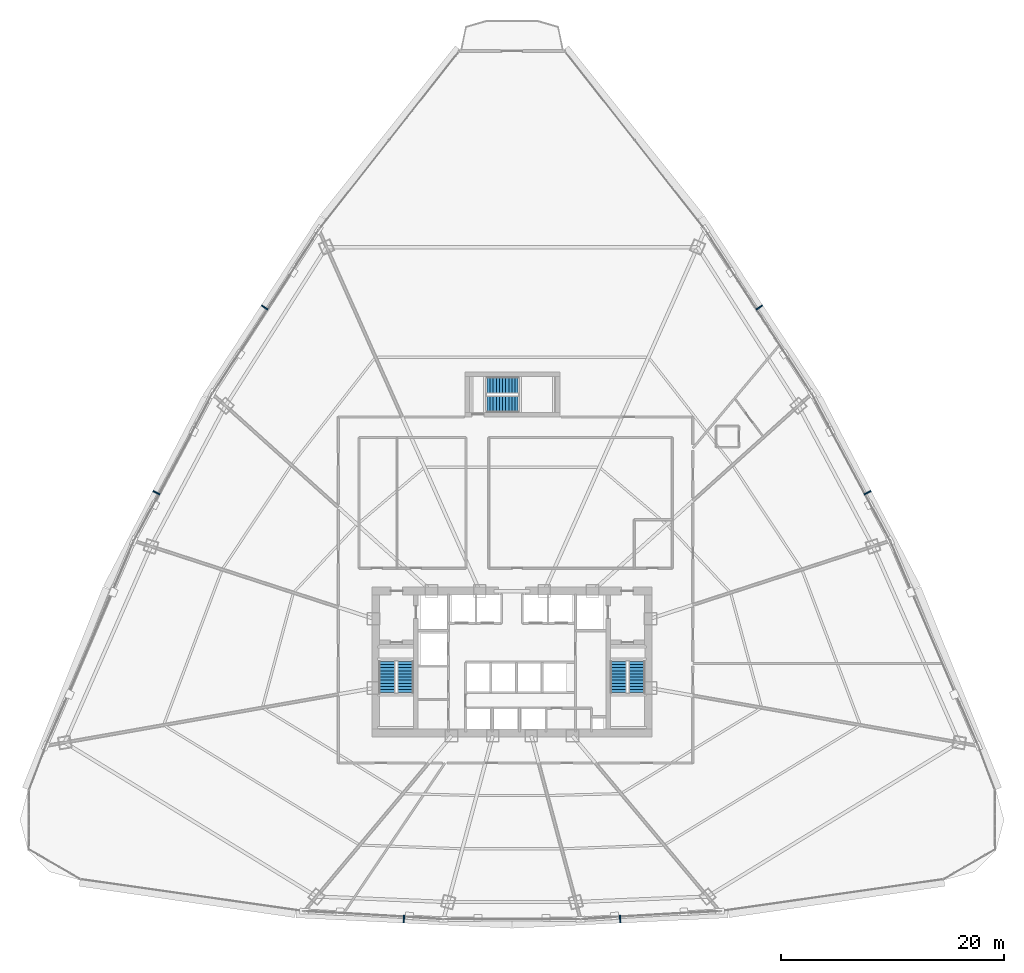
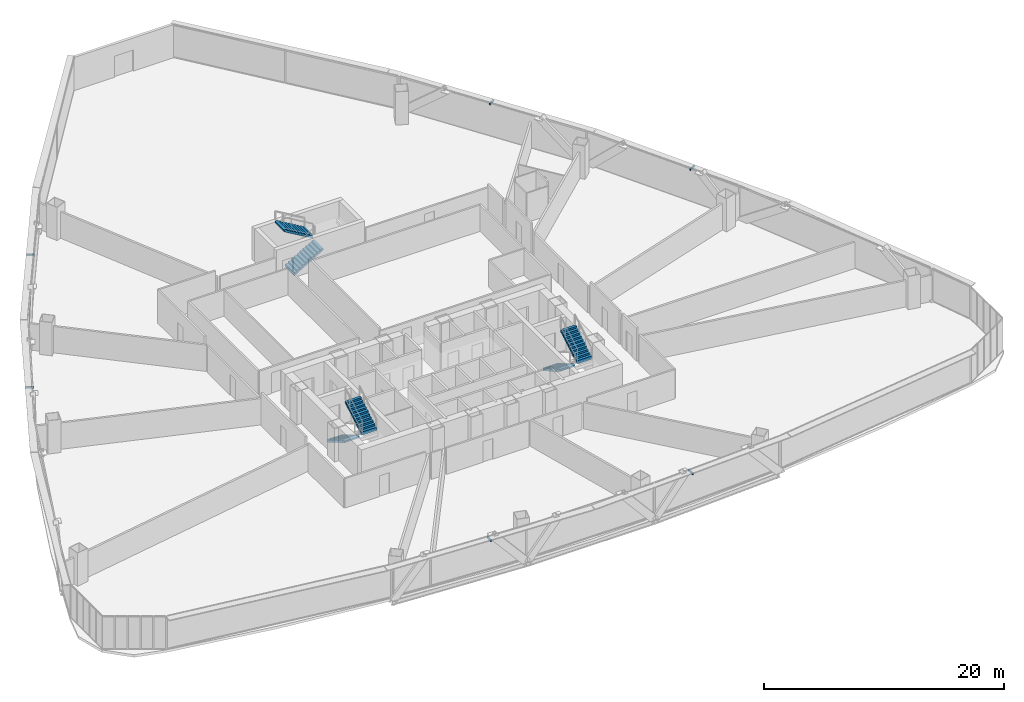
# One storey, part 38 of 42: 6 discrete accessories, 6 stair flights, 3 elements without a shape of their own.
"""IFC4 building model written with IfcOpenShell, lengths in metres."""

from ifc_helpers import new_model, si_unit, direction, frame, origin, origin_2d, place, context, subcontext, project, spatial, polyline, rectangle, outline, extrude, source, transform, mapped, material, type_object, element, aggregate, save


model = new_model("IFC4")

# Units and contexts
model_context = context("Model", 3, precision=1e-05, world=origin(), true_north=direction((0.0, 1.0)))
body_context = subcontext(model_context, "Body", "Model", "MODEL_VIEW")
ifc_project = project(units=[si_unit("LENGTHUNIT", "METRE"), si_unit("AREAUNIT", "SQUARE_METRE"), si_unit("VOLUMEUNIT", "CUBIC_METRE"), si_unit("PLANEANGLEUNIT", "RADIAN"), si_unit("MASSUNIT", "GRAM", prefix="KILO"), si_unit("THERMODYNAMICTEMPERATUREUNIT", "KELVIN"), si_unit("POWERUNIT", "WATT")], contexts=[model_context])

# Site, building, storey
site_placement = place(None, origin())
site = spatial("IfcSite", under=ifc_project, at=site_placement, CompositionType="ELEMENT")
building_placement = place(site_placement, origin())
building = spatial("IfcBuilding", under=site, at=building_placement, Name="Yunzhuo Pagoda Commons", CompositionType="ELEMENT")
storey_placement = place(building_placement, frame((0.0, 0.0, 48.550048828125)))
storey = spatial("IfcBuildingStorey", under=building, at=storey_placement, Name="L12", CompositionType="ELEMENT", Elevation=48.550048828125)

# Stair, stair flights
ifc_material_1 = material(Name="Concrete C40", Category="concrete")
stair_type_1 = type_object("IfcStairType", Name="ST-C1 Core Smokeproof Stair ST1", PredefinedType="HALF_TURN_STAIR", material=ifc_material_1)
stair_1_placement = place(storey_placement, origin())
stair_1 = element("IfcStair", 1, at=stair_1_placement, inside=storey, type_object=stair_type_1, Name="L12 Core smokeproof stair ST1", PredefinedType="HALF_TURN_STAIR")
stair_flight_type_1 = type_object("IfcStairFlightType", Name="STF-C1 Core Stair Flight 1450", PredefinedType="STRAIGHT", material=ifc_material_1)
shared_shape_1 = source(origin(), body_context, "Body", "SweptSolid", [
    extrude(outline(polyline([(0.0, -0.14990234375), (0.0, 0.0), (0.0, 0.1650390625), (0.280029296875, 0.1650390625), (0.280029296875, 0.330078125), (0.56005859375, 0.330078125), (0.56005859375, 0.4951171875), (0.840087890625, 0.4951171875), (0.840087890625, 0.659912109375), (1.1201171875, 0.659912109375), (1.1201171875, 0.824951171875), (1.39990234375, 0.824951171875), (1.39990234375, 0.989990234375), (1.679931640625, 0.989990234375), (1.679931640625, 1.155029296875), (1.9599609375, 1.155029296875), (1.9599609375, 1.320068359375), (2.239990234375, 1.320068359375), (2.239990234375, 1.485107421875), (2.52001953125, 1.485107421875), (2.52001953125, 1.64990234375), (2.800048828125, 1.64990234375), (2.800048828125, 1.81494140625), (2.800048828125, 1.47607421875), (0.295166015625, 0.0), (0.050048828125, -0.14990234375), (0.0, -0.14990234375)])), frame((0.0, 0.72509765625, 0.0), z_axis=(0.0, -1.0, 0.0), x_axis=(1.0, 0.0, 0.0)), (0.0, 0.0, 1.0), 1.449951171875),
])
stair_flight_1_placement = place(storey_placement, frame((36.824951171875, 33.89990234375, 0.0), z_axis=(0.0, 0.0, 1.0), x_axis=(0.0, -1.0, 0.0)))
stair_flight_1 = element("IfcStairFlight", 2, at=stair_flight_1_placement, type_object=stair_flight_type_1, Name="ST1 flight 1", NumberOfRisers=11, NumberOfTreads=10, PredefinedType="STRAIGHT", RiserHeight=0.165, TreadLength=0.28, context=body_context, shape_type="MappedRepresentation", body=[
    mapped(shared_shape_1, transform((0.0, 0.0, 0.0), scale=1.0)),
])
stair_flight_2_placement = place(storey_placement, frame((38.47509765625, 31.10009765625, 1.81494140625), z_axis=(0.0, 0.0, 1.0), x_axis=(0.0, 1.0, 0.0)))
stair_flight_2 = element("IfcStairFlight", 3, at=stair_flight_2_placement, type_object=stair_flight_type_1, Name="ST1 flight 2", NumberOfRisers=11, NumberOfTreads=10, PredefinedType="STRAIGHT", RiserHeight=0.165, TreadLength=0.28, context=body_context, shape_type="MappedRepresentation", body=[
    mapped(shared_shape_1, transform((0.0, 0.0, 0.0), scale=1.0)),
])
aggregate(stair_1, [stair_flight_1, stair_flight_2])

stair_type_2 = type_object("IfcStairType", Name="ST-C2 Core Smokeproof Stair ST2", PredefinedType="HALF_TURN_STAIR", material=ifc_material_1)
stair_2_placement = place(storey_placement, origin())
stair_2 = element("IfcStair", 4, at=stair_2_placement, inside=storey, type_object=stair_type_2, Name="L12 Core smokeproof stair ST2", PredefinedType="HALF_TURN_STAIR")
stair_flight_type_2 = type_object("IfcStairFlightType", Name="STF-C2 Core Stair Flight 1460", PredefinedType="STRAIGHT", material=ifc_material_1)
stair_flight_3_placement = place(storey_placement, frame((57.52490234375, 33.89990234375, 0.0), z_axis=(0.0, 0.0, 1.0), x_axis=(0.0, -1.0, 0.0)))
stair_flight_3 = element("IfcStairFlight", 5, at=stair_flight_3_placement, type_object=stair_flight_type_2, Name="ST2 flight 1", NumberOfRisers=11, NumberOfTreads=10, PredefinedType="STRAIGHT", RiserHeight=0.165, TreadLength=0.28, context=body_context, shape_type="MappedRepresentation", body=[
    mapped(shared_shape_1, transform((0.0, 0.0, 0.0), scale=1.0)),
])
stair_flight_4_placement = place(storey_placement, frame((59.175048828125, 31.10009765625, 1.81494140625), z_axis=(0.0, 0.0, 1.0), x_axis=(0.0, 1.0, 0.0)))
stair_flight_4 = element("IfcStairFlight", 6, at=stair_flight_4_placement, type_object=stair_flight_type_2, Name="ST2 flight 2", NumberOfRisers=11, NumberOfTreads=10, PredefinedType="STRAIGHT", RiserHeight=0.165, TreadLength=0.28, context=body_context, shape_type="MappedRepresentation", body=[
    mapped(shared_shape_1, transform((0.0, 0.0, 0.0), scale=1.0)),
])
aggregate(stair_2, [stair_flight_3, stair_flight_4])

stair_type_3 = type_object("IfcStairType", Name="ST-C3 North Tower Smokeproof Stair ST3", PredefinedType="HALF_TURN_STAIR", material=ifc_material_1)
stair_3_placement = place(storey_placement, origin())
stair_3 = element("IfcStair", 7, at=stair_3_placement, inside=storey, type_object=stair_type_3, Name="L12 North tower smokeproof stair ST3", PredefinedType="HALF_TURN_STAIR")
stair_flight_type_3 = type_object("IfcStairFlightType", Name="STF-C3 North Stair Flight 1500", PredefinedType="STRAIGHT", material=ifc_material_1)
shared_shape_2 = source(origin(), body_context, "Body", "SweptSolid", [
    extrude(outline(polyline([(0.0, -0.14990234375), (0.0, 0.0), (0.0, 0.1650390625), (0.280029296875, 0.1650390625), (0.280029296875, 0.330078125), (0.56005859375, 0.330078125), (0.56005859375, 0.4951171875), (0.840087890625, 0.4951171875), (0.840087890625, 0.659912109375), (1.1201171875, 0.659912109375), (1.1201171875, 0.824951171875), (1.39990234375, 0.824951171875), (1.39990234375, 0.989990234375), (1.679931640625, 0.989990234375), (1.679931640625, 1.155029296875), (1.9599609375, 1.155029296875), (1.9599609375, 1.320068359375), (2.239990234375, 1.320068359375), (2.239990234375, 1.485107421875), (2.52001953125, 1.485107421875), (2.52001953125, 1.64990234375), (2.800048828125, 1.64990234375), (2.800048828125, 1.81494140625), (2.800048828125, 1.47607421875), (0.295166015625, 0.0), (0.050048828125, -0.14990234375), (0.0, -0.14990234375)])), frame((0.0, 0.75, 0.0), z_axis=(0.0, -1.0, 0.0), x_axis=(1.0, 0.0, 0.0)), (0.0, 0.0, 1.0), 1.5),
])
stair_flight_5_placement = place(storey_placement, frame((45.75, 56.949951171875, 0.0), z_axis=(0.0, 0.0, 1.0), x_axis=(1.0, 0.0, 0.0)))
stair_flight_5 = element("IfcStairFlight", 8, at=stair_flight_5_placement, type_object=stair_flight_type_3, Name="ST3 flight 1", NumberOfRisers=11, NumberOfTreads=10, PredefinedType="STRAIGHT", RiserHeight=0.165, TreadLength=0.28, context=body_context, shape_type="MappedRepresentation", body=[
    mapped(shared_shape_2, transform((0.0, 0.0, 0.0), scale=1.0)),
])
stair_flight_6_placement = place(storey_placement, frame((48.550048828125, 58.64990234375, 1.81494140625), z_axis=(0.0, 0.0, 1.0), x_axis=(-1.0, 0.0, 0.0)))
stair_flight_6 = element("IfcStairFlight", 9, at=stair_flight_6_placement, type_object=stair_flight_type_3, Name="ST3 flight 2", NumberOfRisers=11, NumberOfTreads=10, PredefinedType="STRAIGHT", RiserHeight=0.165, TreadLength=0.28, context=body_context, shape_type="MappedRepresentation", body=[
    mapped(shared_shape_2, transform((0.0, 0.0, 0.0), scale=1.0)),
])
aggregate(stair_3, [stair_flight_5, stair_flight_6])

# Discrete accessories
ifc_material_2 = material(Name="Anodized aluminium 6063-T6", Category="aluminium")
discrete_accessory_type = type_object("IfcDiscreteAccessoryType", Name="BK-SUN1 Sunshade Outrigger Bracket", PredefinedType="BRACKET", material=ifc_material_2)
shared_shape_3 = source(origin(), body_context, "Body", "SweptSolid", [
    extrude(rectangle(XDim=0.1201171875, YDim=0.679931640625, at=origin_2d()), origin(), (0.0, 0.0, 1.0), 0.179931640625),
])
for number, where, z_axis, x_axis, name in (
    (10, (38.313232421875, 10.8359375, 3.16015625), (0.0, 0.0, 1.0), (0.998818043775, -0.04860571396, 0.0), "L12 sunshade outrigger bracket F1.2"),
    (11, (57.686767578125, 10.8359375, 3.16015625), (0.0, 0.0, 1.0), (0.998818043775, 0.04860571396, 0.0), "L12 sunshade outrigger bracket F1.3"),
    (12, (79.840087890625, 49.005126953125, 3.16015625), (0.0, 0.0, 1.0), (-0.461206683033, 0.88729273384, 0.0), "L12 sunshade outrigger bracket F2.2"),
    (13, (70.1533203125, 65.599853515625, 3.16015625), (0.0, 0.0, 1.0), (-0.545853380833, 0.837880711458, 0.0), "L12 sunshade outrigger bracket F2.3"),
    (14, (25.8466796875, 65.599853515625, 3.16015625), (0.0, 0.0, 1.0), (-0.545853380833, -0.837880711458, 0.0), "L12 sunshade outrigger bracket F3.2"),
    (15, (16.159912109375, 49.005126953125, 3.16015625), (0.0, 0.0, 1.0), (-0.461206683033, -0.88729273384, 0.0), "L12 sunshade outrigger bracket F3.3"),
):
    element("IfcDiscreteAccessory", number, at=place(storey_placement, frame(where, z_axis=z_axis, x_axis=x_axis)), inside=storey, type_object=discrete_accessory_type, Name=name, PredefinedType="BRACKET", context=body_context, shape_type="MappedRepresentation", body=[
        mapped(shared_shape_3, transform((0.0, 0.0, 0.0), scale=1.0)),
    ])

save(model, "model.ifc")
